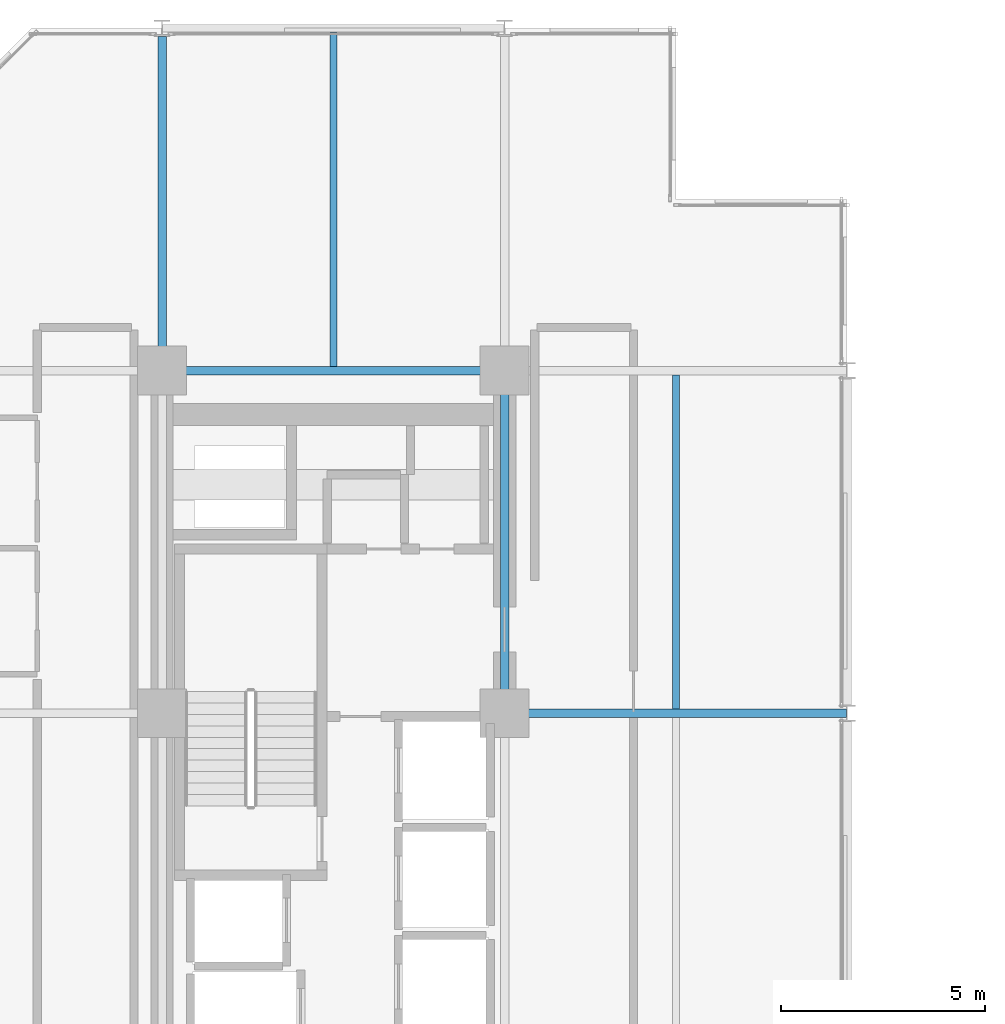
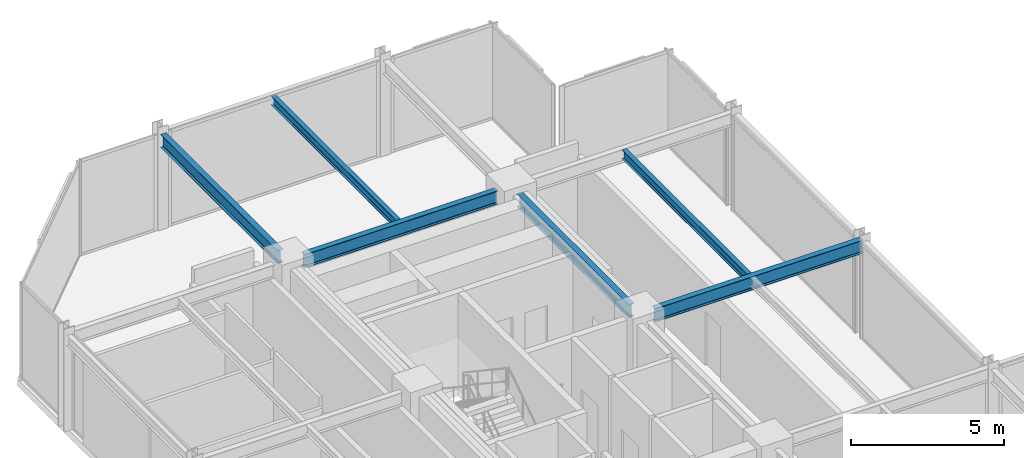
# One storey, part 26 of 38: 6 beams.
"""IFC4 building model written with IfcOpenShell, lengths in metres."""

from ifc_helpers import new_model, si_unit, direction, frame, origin, origin_2d, place, context, subcontext, project, spatial, i_section, extrude, material, material_profile, profile_set, type_object, element, save


model = new_model("IFC4")

# Units and contexts
model_context = context("Model", 3, precision=1e-05, world=origin(), true_north=direction((0.0, 1.0)))
body_context = subcontext(model_context, "Body", "Model", "MODEL_VIEW")
ifc_project = project(units=[si_unit("LENGTHUNIT", "METRE"), si_unit("AREAUNIT", "SQUARE_METRE"), si_unit("VOLUMEUNIT", "CUBIC_METRE"), si_unit("PLANEANGLEUNIT", "RADIAN"), si_unit("MASSUNIT", "GRAM", prefix="KILO")], contexts=[model_context])

# Site, building, storey
site_placement = place(None, origin())
site = spatial("IfcSite", under=ifc_project, at=site_placement, CompositionType="ELEMENT")
building_placement = place(site_placement, origin())
building = spatial("IfcBuilding", under=site, at=building_placement, Name="Nerrivon Quay Data Exchange", CompositionType="ELEMENT")
storey_placement = place(building_placement, frame((0.0, 0.0, 100.800048828125)))
storey = spatial("IfcBuildingStorey", under=building, at=storey_placement, Name="L23", CompositionType="ELEMENT", Elevation=100.800048828125)

# Beams
ifc_material = material(Name="Steel Grade 350", Category="steel")
ifc_material_profile_1 = material_profile(ifc_material, i_section(OverallWidth=0.208984375, OverallDepth=0.532958984375, WebThickness=0.01025390625, FlangeThickness=0.015625, FilletRadius=0.013916015625, at=origin_2d()), Name="530UB92.4")
ifc_profile_set_1 = profile_set([ifc_material_profile_1], Name="Steel Grade 350")
beam_type_1 = type_object("IfcBeamType", Name="BM-G3-530UB92", PredefinedType="BEAM", material=ifc_profile_set_1)
beam_1_placement = place(storey_placement, frame((17.340087890625, 33.60009765625, 3.558349609375), z_axis=(1.0, 0.0, 0.0), x_axis=(0.0, 1.0, 0.0)))
element("IfcBeam", 1, at=beam_1_placement, inside=storey, type_object=beam_type_1, Name="L23 EW Girder Y=33.6 (16.8..25.2)", PredefinedType="BEAM", context=body_context, shape_type="SweptSolid", body=[
    extrude(i_section(OverallWidth=0.208984375, OverallDepth=0.532958984375, WebThickness=0.01025390625, FlangeThickness=0.015625, FilletRadius=0.013916015625, at=origin_2d()), origin(), (0.0, 0.0, 1.0), 7.847412109375),
])
beam_2_placement = place(storey_placement, frame((8.93994140625, 42.0, 3.558349609375), z_axis=(1.0, 0.0, 0.0), x_axis=(0.0, 1.0, 0.0)))
element("IfcBeam", 2, at=beam_2_placement, inside=storey, type_object=beam_type_1, Name="L23 EW Girder Y=42.0 (8.4..16.8)", PredefinedType="BEAM", context=body_context, shape_type="SweptSolid", body=[
    extrude(i_section(OverallWidth=0.208984375, OverallDepth=0.532958984375, WebThickness=0.01025390625, FlangeThickness=0.015625, FilletRadius=0.013916015625, at=origin_2d()), origin(), (0.0, 0.0, 1.0), 7.320068359375),
])
ifc_material_profile_2 = material_profile(ifc_material, i_section(OverallWidth=0.208984375, OverallDepth=0.528076171875, WebThickness=0.009521484375, FlangeThickness=0.01318359375, FilletRadius=0.013916015625, at=origin_2d()), Name="530UB82.0")
ifc_profile_set_2 = profile_set([ifc_material_profile_2], Name="Steel Grade 350")
beam_type_2 = type_object("IfcBeamType", Name="BM-G4-530UB82", PredefinedType="BEAM", material=ifc_profile_set_2)
beam_3_placement = place(storey_placement, frame((8.39990234375, 42.5400390625, 3.56103515625), z_axis=(0.0, 1.0, 0.0), x_axis=(-1.0, 0.0, 0.0)))
element("IfcBeam", 3, at=beam_3_placement, inside=storey, type_object=beam_type_2, Name="L23 NS Girder X=8.4 (42.0..50.4)", PredefinedType="BEAM", context=body_context, shape_type="SweptSolid", body=[
    extrude(i_section(OverallWidth=0.208984375, OverallDepth=0.528076171875, WebThickness=0.009521484375, FlangeThickness=0.01318359375, FilletRadius=0.013916015625, at=origin_2d()), origin(), (0.0, 0.0, 1.0), 7.659912109375),
])
beam_4_placement = place(storey_placement, frame((16.800048828125, 34.139892578125, 3.56103515625), z_axis=(0.0, 1.0, 0.0), x_axis=(-1.0, 0.0, 0.0)))
element("IfcBeam", 4, at=beam_4_placement, inside=storey, type_object=beam_type_2, Name="L23 NS Girder X=16.8 (33.6..42.0)", PredefinedType="BEAM", context=body_context, shape_type="SweptSolid", body=[
    extrude(i_section(OverallWidth=0.208984375, OverallDepth=0.528076171875, WebThickness=0.009521484375, FlangeThickness=0.01318359375, FilletRadius=0.013916015625, at=origin_2d()), origin(), (0.0, 0.0, 1.0), 7.320068359375),
])
ifc_material_profile_3 = material_profile(ifc_material, i_section(OverallWidth=0.1708984375, OverallDepth=0.35595703125, WebThickness=0.00732421875, FlangeThickness=0.011474609375, FilletRadius=0.011474609375, at=origin_2d()), Name="360UB50.7")
ifc_profile_set_3 = profile_set([ifc_material_profile_3], Name="Steel Grade 350")
beam_type_3 = type_object("IfcBeamType", Name="BM-J4-360UB51", PredefinedType="JOIST", material=ifc_profile_set_3)
beam_5_placement = place(storey_placement, frame((12.60009765625, 42.1044921875, 3.64697265625), z_axis=(0.0, 1.0, 0.0), x_axis=(-1.0, 0.0, 0.0)))
element("IfcBeam", 5, at=beam_5_placement, inside=storey, type_object=beam_type_3, Name="L23 Secondary Joist X=12.6 (42.0..50.4)", PredefinedType="JOIST", context=body_context, shape_type="SweptSolid", body=[
    extrude(i_section(OverallWidth=0.1708984375, OverallDepth=0.35595703125, WebThickness=0.00732421875, FlangeThickness=0.011474609375, FilletRadius=0.011474609375, at=origin_2d()), origin(), (0.0, 0.0, 1.0), 8.20654296875),
])
beam_6_placement = place(storey_placement, frame((21.0, 33.70458984375, 3.64697265625), z_axis=(0.0, 1.0, 0.0), x_axis=(-1.0, 0.0, 0.0)))
element("IfcBeam", 6, at=beam_6_placement, inside=storey, type_object=beam_type_3, Name="L23 Secondary Joist X=21.0 (33.6..42.0)", PredefinedType="JOIST", context=body_context, shape_type="SweptSolid", body=[
    extrude(i_section(OverallWidth=0.1708984375, OverallDepth=0.35595703125, WebThickness=0.00732421875, FlangeThickness=0.011474609375, FilletRadius=0.011474609375, at=origin_2d()), origin(), (0.0, 0.0, 1.0), 8.19091796875),
])

save(model, "model.ifc")
